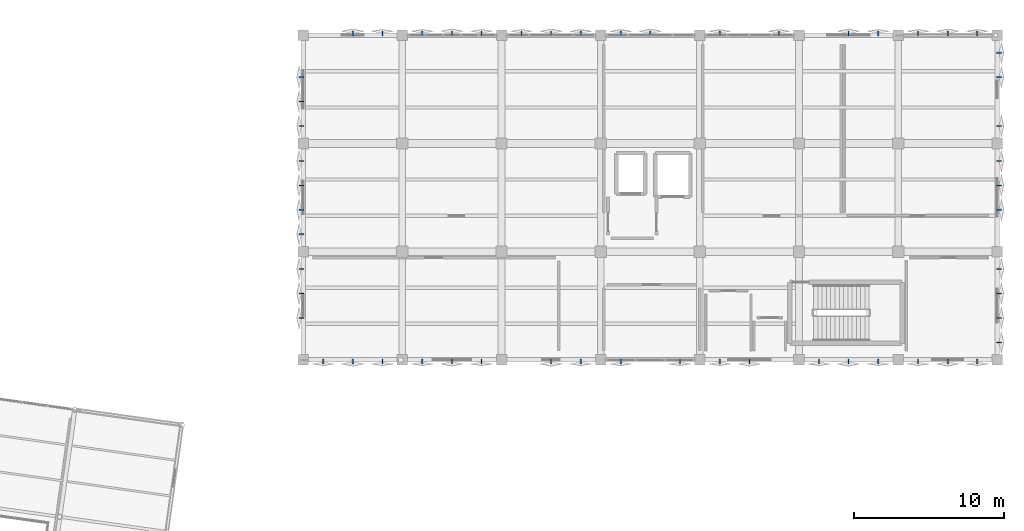
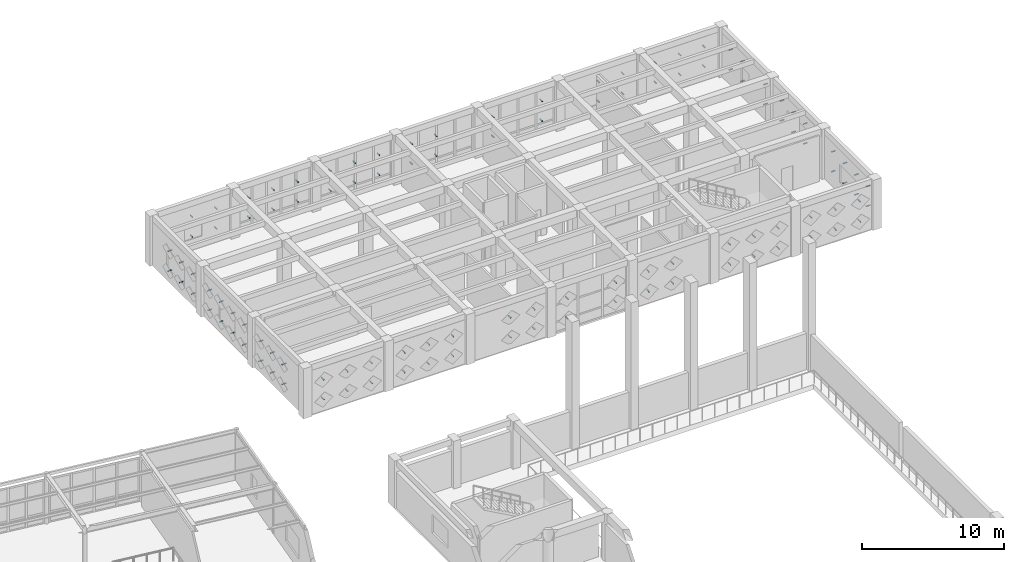
# One storey, part 74 of 80: 110 discrete accessories.
"""IFC4 building model written with IfcOpenShell, lengths in metres."""

from ifc_helpers import new_model, si_unit, direction, frame, origin, origin_2d, place, context, subcontext, project, spatial, hollow_rectangle, extrude, material, type_object, element, save


model = new_model("IFC4")

# Units and contexts
model_context = context("Model", 3, precision=1e-05, world=origin(), true_north=direction((0.0, 1.0)))
body_context = subcontext(model_context, "Body", "Model", "MODEL_VIEW")
ifc_project = project(units=[si_unit("LENGTHUNIT", "METRE"), si_unit("AREAUNIT", "SQUARE_METRE"), si_unit("VOLUMEUNIT", "CUBIC_METRE"), si_unit("PLANEANGLEUNIT", "RADIAN"), si_unit("MASSUNIT", "GRAM", prefix="KILO")], contexts=[model_context])

# Site, building, storey
site_placement = place(None, origin())
site = spatial("IfcSite", under=ifc_project, at=site_placement, CompositionType="ELEMENT")
building_placement = place(site_placement, origin())
building = spatial("IfcBuilding", under=site, at=building_placement, Name="Kharisveld Research Institute", CompositionType="ELEMENT")
storey_placement = place(building_placement, frame((0.0, 0.0, 5.10009765625)))
storey = spatial("IfcBuildingStorey", under=building, at=storey_placement, Name="L01", CompositionType="ELEMENT", Elevation=5.10009765625)

# Discrete accessories
ifc_material = material(Name="Steel S355JR", Category="steel")
discrete_accessory_type = type_object("IfcDiscreteAccessoryType", Name="BKT_ST_260", PredefinedType="BRACKET")
for number, where, z_axis, x_axis, name in (
    (1, (114.659912109375, 41.986328125, 1.0498046875), (-1.0, 0.0, 0.0), (0.0, -1.0, 0.0), "BKT-SHD:V2:L01:W0:S1C0"),
    (2, (114.659912109375, 41.986328125, 2.75), (-1.0, 0.0, 0.0), (0.0, -1.0, 0.0), "BKT-SHD:V2:L01:W0:S1C1"),
    (3, (114.659912109375, 43.61376953125, 1.0498046875), (-1.0, 0.0, 0.0), (0.0, -1.0, 0.0), "BKT-SHD:V2:L01:W0:S2C0"),
    (4, (114.659912109375, 43.61376953125, 2.75), (-1.0, 0.0, 0.0), (0.0, -1.0, 0.0), "BKT-SHD:V2:L01:W0:S2C1"),
    (5, (114.659912109375, 45.2412109375, 1.0498046875), (-1.0, 0.0, 0.0), (0.0, -1.0, 0.0), "BKT-SHD:V2:L01:W0:S3C0"),
    (6, (114.659912109375, 45.2412109375, 2.75), (-1.0, 0.0, 0.0), (0.0, -1.0, 0.0), "BKT-SHD:V2:L01:W0:S3C1"),
    (7, (114.659912109375, 47.558837890625, 1.0498046875), (-1.0, 0.0, 0.0), (0.0, -1.0, 0.0), "BKT-SHD:V2:L01:W1:S0C0"),
    (8, (114.659912109375, 47.558837890625, 2.75), (-1.0, 0.0, 0.0), (0.0, -1.0, 0.0), "BKT-SHD:V2:L01:W1:S0C1"),
    (9, (114.659912109375, 49.186279296875, 1.0498046875), (-1.0, 0.0, 0.0), (0.0, -1.0, 0.0), "BKT-SHD:V2:L01:W1:S1C0"),
    (10, (114.659912109375, 49.186279296875, 2.75), (-1.0, 0.0, 0.0), (0.0, -1.0, 0.0), "BKT-SHD:V2:L01:W1:S1C1"),
    (11, (114.659912109375, 50.813720703125, 1.0498046875), (-1.0, 0.0, 0.0), (0.0, -1.0, 0.0), "BKT-SHD:V2:L01:W1:S2C0"),
    (12, (114.659912109375, 50.813720703125, 2.75), (-1.0, 0.0, 0.0), (0.0, -1.0, 0.0), "BKT-SHD:V2:L01:W1:S2C1"),
    (13, (114.659912109375, 52.441162109375, 1.0498046875), (-1.0, 0.0, 0.0), (0.0, -1.0, 0.0), "BKT-SHD:V2:L01:W1:S3C0"),
    (14, (114.659912109375, 52.441162109375, 2.75), (-1.0, 0.0, 0.0), (0.0, -1.0, 0.0), "BKT-SHD:V2:L01:W1:S3C1"),
    (15, (114.659912109375, 54.7587890625, 1.0498046875), (-1.0, 0.0, 0.0), (0.0, -1.0, 0.0), "BKT-SHD:V2:L01:W2:S0C0"),
    (16, (114.659912109375, 54.7587890625, 2.75), (-1.0, 0.0, 0.0), (0.0, -1.0, 0.0), "BKT-SHD:V2:L01:W2:S0C1"),
    (17, (114.659912109375, 56.38623046875, 1.0498046875), (-1.0, 0.0, 0.0), (0.0, -1.0, 0.0), "BKT-SHD:V2:L01:W2:S1C0"),
    (18, (114.659912109375, 56.38623046875, 2.75), (-1.0, 0.0, 0.0), (0.0, -1.0, 0.0), "BKT-SHD:V2:L01:W2:S1C1"),
    (19, (114.659912109375, 58.013671875, 1.0498046875), (-1.0, 0.0, 0.0), (0.0, -1.0, 0.0), "BKT-SHD:V2:L01:W2:S2C0"),
    (20, (114.659912109375, 58.013671875, 2.75), (-1.0, 0.0, 0.0), (0.0, -1.0, 0.0), "BKT-SHD:V2:L01:W2:S2C1"),
):
    element("IfcDiscreteAccessory", number, at=place(storey_placement, frame(where, z_axis=z_axis, x_axis=x_axis)), inside=storey, type_object=discrete_accessory_type, material=ifc_material, Name=name, ObjectType="BRACKET", PredefinedType="BRACKET", context=body_context, shape_type="SweptSolid", body=[
        extrude(hollow_rectangle(XDim=0.080078125, YDim=0.080078125, WallThickness=0.0048828125, at=origin_2d()), origin(), (0.0, 0.0, 1.0), 0.349853515625),
    ])
for number, where, z_axis, x_axis, name in (
    (21, (117.89990234375, 60.739990234375, 1.0498046875), (0.0, 1.0, 0.0), (-1.0, 0.0, 0.0), "BKT-SHD:V2:L01:N0:S1C0"),
    (22, (117.89990234375, 60.739990234375, 2.75), (0.0, 1.0, 0.0), (-1.0, 0.0, 0.0), "BKT-SHD:V2:L01:N0:S1C1"),
    (23, (119.8701171875, 60.739990234375, 1.0498046875), (0.0, 1.0, 0.0), (-1.0, 0.0, 0.0), "BKT-SHD:V2:L01:N0:S2C0"),
    (24, (119.8701171875, 60.739990234375, 2.75), (0.0, 1.0, 0.0), (-1.0, 0.0, 0.0), "BKT-SHD:V2:L01:N0:S2C1"),
    (25, (122.530029296875, 60.739990234375, 1.0498046875), (0.0, 1.0, 0.0), (-1.0, 0.0, 0.0), "BKT-SHD:V2:L01:N1:S0C0"),
    (26, (122.530029296875, 60.739990234375, 2.75), (0.0, 1.0, 0.0), (-1.0, 0.0, 0.0), "BKT-SHD:V2:L01:N1:S0C1"),
    (27, (124.5, 60.739990234375, 1.0498046875), (0.0, 1.0, 0.0), (-1.0, 0.0, 0.0), "BKT-SHD:V2:L01:N1:S1C0"),
    (28, (124.5, 60.739990234375, 2.75), (0.0, 1.0, 0.0), (-1.0, 0.0, 0.0), "BKT-SHD:V2:L01:N1:S1C1"),
    (29, (126.469970703125, 60.739990234375, 1.0498046875), (0.0, 1.0, 0.0), (-1.0, 0.0, 0.0), "BKT-SHD:V2:L01:N1:S2C0"),
    (30, (126.469970703125, 60.739990234375, 2.75), (0.0, 1.0, 0.0), (-1.0, 0.0, 0.0), "BKT-SHD:V2:L01:N1:S2C1"),
    (31, (129.1298828125, 60.739990234375, 1.0498046875), (0.0, 1.0, 0.0), (-1.0, 0.0, 0.0), "BKT-SHD:V2:L01:N2:S0C0"),
    (32, (129.1298828125, 60.739990234375, 2.75), (0.0, 1.0, 0.0), (-1.0, 0.0, 0.0), "BKT-SHD:V2:L01:N2:S0C1"),
    (33, (131.10009765625, 60.739990234375, 1.0498046875), (0.0, 1.0, 0.0), (-1.0, 0.0, 0.0), "BKT-SHD:V2:L01:N2:S1C0"),
    (34, (131.10009765625, 60.739990234375, 2.75), (0.0, 1.0, 0.0), (-1.0, 0.0, 0.0), "BKT-SHD:V2:L01:N2:S1C1"),
    (35, (133.070068359375, 60.739990234375, 1.0498046875), (0.0, 1.0, 0.0), (-1.0, 0.0, 0.0), "BKT-SHD:V2:L01:N2:S2C0"),
    (36, (133.070068359375, 60.739990234375, 2.75), (0.0, 1.0, 0.0), (-1.0, 0.0, 0.0), "BKT-SHD:V2:L01:N2:S2C1"),
    (37, (135.72998046875, 60.739990234375, 1.0498046875), (0.0, 1.0, 0.0), (-1.0, 0.0, 0.0), "BKT-SHD:V2:L01:N3:S0C0"),
    (38, (135.72998046875, 60.739990234375, 2.75), (0.0, 1.0, 0.0), (-1.0, 0.0, 0.0), "BKT-SHD:V2:L01:N3:S0C1"),
    (39, (137.699951171875, 60.739990234375, 1.0498046875), (0.0, 1.0, 0.0), (-1.0, 0.0, 0.0), "BKT-SHD:V2:L01:N3:S1C0"),
    (40, (137.699951171875, 60.739990234375, 2.75), (0.0, 1.0, 0.0), (-1.0, 0.0, 0.0), "BKT-SHD:V2:L01:N3:S1C1"),
    (41, (142.330078125, 60.739990234375, 1.0498046875), (0.0, 1.0, 0.0), (-1.0, 0.0, 0.0), "BKT-SHD:V2:L01:N4:S0C0"),
    (42, (142.330078125, 60.739990234375, 2.75), (0.0, 1.0, 0.0), (-1.0, 0.0, 0.0), "BKT-SHD:V2:L01:N4:S0C1"),
    (43, (146.27001953125, 60.739990234375, 1.0498046875), (0.0, 1.0, 0.0), (-1.0, 0.0, 0.0), "BKT-SHD:V2:L01:N4:S2C0"),
    (44, (146.27001953125, 60.739990234375, 2.75), (0.0, 1.0, 0.0), (-1.0, 0.0, 0.0), "BKT-SHD:V2:L01:N4:S2C1"),
    (45, (150.89990234375, 60.739990234375, 1.0498046875), (0.0, 1.0, 0.0), (-1.0, 0.0, 0.0), "BKT-SHD:V2:L01:N5:S1C0"),
    (46, (150.89990234375, 60.739990234375, 2.75), (0.0, 1.0, 0.0), (-1.0, 0.0, 0.0), "BKT-SHD:V2:L01:N5:S1C1"),
    (47, (152.8701171875, 60.739990234375, 1.0498046875), (0.0, 1.0, 0.0), (-1.0, 0.0, 0.0), "BKT-SHD:V2:L01:N5:S2C0"),
    (48, (152.8701171875, 60.739990234375, 2.75), (0.0, 1.0, 0.0), (-1.0, 0.0, 0.0), "BKT-SHD:V2:L01:N5:S2C1"),
    (49, (155.530029296875, 60.739990234375, 1.0498046875), (0.0, 1.0, 0.0), (-1.0, 0.0, 0.0), "BKT-SHD:V2:L01:N6:S0C0"),
    (50, (155.530029296875, 60.739990234375, 2.75), (0.0, 1.0, 0.0), (-1.0, 0.0, 0.0), "BKT-SHD:V2:L01:N6:S0C1"),
    (51, (157.5, 60.739990234375, 1.0498046875), (0.0, 1.0, 0.0), (-1.0, 0.0, 0.0), "BKT-SHD:V2:L01:N6:S1C0"),
    (52, (157.5, 60.739990234375, 2.75), (0.0, 1.0, 0.0), (-1.0, 0.0, 0.0), "BKT-SHD:V2:L01:N6:S1C1"),
    (53, (159.469970703125, 60.739990234375, 1.0498046875), (0.0, 1.0, 0.0), (-1.0, 0.0, 0.0), "BKT-SHD:V2:L01:N6:S2C0"),
    (54, (159.469970703125, 60.739990234375, 2.75), (0.0, 1.0, 0.0), (-1.0, 0.0, 0.0), "BKT-SHD:V2:L01:N6:S2C1"),
    (55, (160.739990234375, 59.641357421875, 1.0498046875), (1.0, 0.0, 0.0), (0.0, 1.0, 0.0), "BKT-SHD:V2:L01:E3:S0C0"),
    (56, (160.739990234375, 59.641357421875, 2.75), (1.0, 0.0, 0.0), (0.0, 1.0, 0.0), "BKT-SHD:V2:L01:E3:S0C1"),
    (57, (160.739990234375, 58.013671875, 1.0498046875), (1.0, 0.0, 0.0), (0.0, 1.0, 0.0), "BKT-SHD:V2:L01:E3:S1C0"),
    (58, (160.739990234375, 58.013671875, 2.75), (1.0, 0.0, 0.0), (0.0, 1.0, 0.0), "BKT-SHD:V2:L01:E3:S1C1"),
    (59, (160.739990234375, 54.7587890625, 1.0498046875), (1.0, 0.0, 0.0), (0.0, 1.0, 0.0), "BKT-SHD:V2:L01:E3:S3C0"),
    (60, (160.739990234375, 54.7587890625, 2.75), (1.0, 0.0, 0.0), (0.0, 1.0, 0.0), "BKT-SHD:V2:L01:E3:S3C1"),
    (61, (160.739990234375, 52.441162109375, 1.0498046875), (1.0, 0.0, 0.0), (0.0, 1.0, 0.0), "BKT-SHD:V2:L01:E2:S0C0"),
    (62, (160.739990234375, 52.441162109375, 2.75), (1.0, 0.0, 0.0), (0.0, 1.0, 0.0), "BKT-SHD:V2:L01:E2:S0C1"),
    (63, (160.739990234375, 50.813720703125, 1.0498046875), (1.0, 0.0, 0.0), (0.0, 1.0, 0.0), "BKT-SHD:V2:L01:E2:S1C0"),
    (64, (160.739990234375, 50.813720703125, 2.75), (1.0, 0.0, 0.0), (0.0, 1.0, 0.0), "BKT-SHD:V2:L01:E2:S1C1"),
    (65, (160.739990234375, 49.186279296875, 1.0498046875), (1.0, 0.0, 0.0), (0.0, 1.0, 0.0), "BKT-SHD:V2:L01:E2:S2C0"),
    (66, (160.739990234375, 49.186279296875, 2.75), (1.0, 0.0, 0.0), (0.0, 1.0, 0.0), "BKT-SHD:V2:L01:E2:S2C1"),
    (67, (160.739990234375, 45.2412109375, 1.0498046875), (1.0, 0.0, 0.0), (0.0, 1.0, 0.0), "BKT-SHD:V2:L01:E1:S0C0"),
    (68, (160.739990234375, 45.2412109375, 2.75), (1.0, 0.0, 0.0), (0.0, 1.0, 0.0), "BKT-SHD:V2:L01:E1:S0C1"),
    (69, (160.739990234375, 43.61376953125, 1.0498046875), (1.0, 0.0, 0.0), (0.0, 1.0, 0.0), "BKT-SHD:V2:L01:E1:S1C0"),
    (70, (160.739990234375, 43.61376953125, 2.75), (1.0, 0.0, 0.0), (0.0, 1.0, 0.0), "BKT-SHD:V2:L01:E1:S1C1"),
    (71, (160.739990234375, 41.986328125, 1.0498046875), (1.0, 0.0, 0.0), (0.0, 1.0, 0.0), "BKT-SHD:V2:L01:E1:S2C0"),
    (72, (160.739990234375, 41.986328125, 2.75), (1.0, 0.0, 0.0), (0.0, 1.0, 0.0), "BKT-SHD:V2:L01:E1:S2C1"),
    (73, (160.739990234375, 40.358642578125, 1.0498046875), (1.0, 0.0, 0.0), (0.0, 1.0, 0.0), "BKT-SHD:V2:L01:E1:S3C0"),
    (74, (160.739990234375, 40.358642578125, 2.75), (1.0, 0.0, 0.0), (0.0, 1.0, 0.0), "BKT-SHD:V2:L01:E1:S3C1"),
    (75, (159.469970703125, 39.260009765625, 1.0498046875), (0.0, -1.0, 0.0), (1.0, 0.0, 0.0), "BKT-SHD:V2:L01:S7:S0C0"),
    (76, (159.469970703125, 39.260009765625, 2.75), (0.0, -1.0, 0.0), (1.0, 0.0, 0.0), "BKT-SHD:V2:L01:S7:S0C1"),
    (77, (157.5, 39.260009765625, 1.0498046875), (0.0, -1.0, 0.0), (1.0, 0.0, 0.0), "BKT-SHD:V2:L01:S7:S1C0"),
    (78, (157.5, 39.260009765625, 2.75), (0.0, -1.0, 0.0), (1.0, 0.0, 0.0), "BKT-SHD:V2:L01:S7:S1C1"),
    (79, (155.530029296875, 39.260009765625, 1.0498046875), (0.0, -1.0, 0.0), (1.0, 0.0, 0.0), "BKT-SHD:V2:L01:S7:S2C0"),
    (80, (155.530029296875, 39.260009765625, 2.75), (0.0, -1.0, 0.0), (1.0, 0.0, 0.0), "BKT-SHD:V2:L01:S7:S2C1"),
    (81, (152.8701171875, 39.260009765625, 1.0498046875), (0.0, -1.0, 0.0), (1.0, 0.0, 0.0), "BKT-SHD:V2:L01:S6:S0C0"),
    (82, (152.8701171875, 39.260009765625, 2.75), (0.0, -1.0, 0.0), (1.0, 0.0, 0.0), "BKT-SHD:V2:L01:S6:S0C1"),
    (83, (150.89990234375, 39.260009765625, 1.0498046875), (0.0, -1.0, 0.0), (1.0, 0.0, 0.0), "BKT-SHD:V2:L01:S6:S1C0"),
    (84, (150.89990234375, 39.260009765625, 2.75), (0.0, -1.0, 0.0), (1.0, 0.0, 0.0), "BKT-SHD:V2:L01:S6:S1C1"),
    (85, (148.929931640625, 39.260009765625, 1.0498046875), (0.0, -1.0, 0.0), (1.0, 0.0, 0.0), "BKT-SHD:V2:L01:S6:S2C0"),
    (86, (148.929931640625, 39.260009765625, 2.75), (0.0, -1.0, 0.0), (1.0, 0.0, 0.0), "BKT-SHD:V2:L01:S6:S2C1"),
    (87, (144.300048828125, 39.260009765625, 1.0498046875), (0.0, -1.0, 0.0), (1.0, 0.0, 0.0), "BKT-SHD:V2:L01:S5:S1C0"),
    (88, (144.300048828125, 39.260009765625, 2.75), (0.0, -1.0, 0.0), (1.0, 0.0, 0.0), "BKT-SHD:V2:L01:S5:S1C1"),
    (89, (142.330078125, 39.260009765625, 1.0498046875), (0.0, -1.0, 0.0), (1.0, 0.0, 0.0), "BKT-SHD:V2:L01:S5:S2C0"),
    (90, (142.330078125, 39.260009765625, 2.75), (0.0, -1.0, 0.0), (1.0, 0.0, 0.0), "BKT-SHD:V2:L01:S5:S2C1"),
    (91, (139.669921875, 39.260009765625, 1.0498046875), (0.0, -1.0, 0.0), (1.0, 0.0, 0.0), "BKT-SHD:V2:L01:S4:S0C0"),
    (92, (139.669921875, 39.260009765625, 2.75), (0.0, -1.0, 0.0), (1.0, 0.0, 0.0), "BKT-SHD:V2:L01:S4:S0C1"),
    (93, (135.72998046875, 39.260009765625, 1.0498046875), (0.0, -1.0, 0.0), (1.0, 0.0, 0.0), "BKT-SHD:V2:L01:S4:S2C0"),
    (94, (135.72998046875, 39.260009765625, 2.75), (0.0, -1.0, 0.0), (1.0, 0.0, 0.0), "BKT-SHD:V2:L01:S4:S2C1"),
    (95, (133.070068359375, 39.260009765625, 1.0498046875), (0.0, -1.0, 0.0), (1.0, 0.0, 0.0), "BKT-SHD:V2:L01:S3:S0C0"),
    (96, (133.070068359375, 39.260009765625, 2.75), (0.0, -1.0, 0.0), (1.0, 0.0, 0.0), "BKT-SHD:V2:L01:S3:S0C1"),
    (97, (131.10009765625, 39.260009765625, 1.0498046875), (0.0, -1.0, 0.0), (1.0, 0.0, 0.0), "BKT-SHD:V2:L01:S3:S1C0"),
    (98, (131.10009765625, 39.260009765625, 2.75), (0.0, -1.0, 0.0), (1.0, 0.0, 0.0), "BKT-SHD:V2:L01:S3:S1C1"),
    (99, (126.469970703125, 39.260009765625, 1.0498046875), (0.0, -1.0, 0.0), (1.0, 0.0, 0.0), "BKT-SHD:V2:L01:S2:S0C0"),
    (100, (126.469970703125, 39.260009765625, 2.75), (0.0, -1.0, 0.0), (1.0, 0.0, 0.0), "BKT-SHD:V2:L01:S2:S0C1"),
    (101, (124.5, 39.260009765625, 1.0498046875), (0.0, -1.0, 0.0), (1.0, 0.0, 0.0), "BKT-SHD:V2:L01:S2:S1C0"),
    (102, (124.5, 39.260009765625, 2.75), (0.0, -1.0, 0.0), (1.0, 0.0, 0.0), "BKT-SHD:V2:L01:S2:S1C1"),
    (103, (122.530029296875, 39.260009765625, 1.0498046875), (0.0, -1.0, 0.0), (1.0, 0.0, 0.0), "BKT-SHD:V2:L01:S2:S2C0"),
    (104, (122.530029296875, 39.260009765625, 2.75), (0.0, -1.0, 0.0), (1.0, 0.0, 0.0), "BKT-SHD:V2:L01:S2:S2C1"),
    (105, (119.8701171875, 39.260009765625, 1.0498046875), (0.0, -1.0, 0.0), (1.0, 0.0, 0.0), "BKT-SHD:V2:L01:S1:S0C0"),
    (106, (119.8701171875, 39.260009765625, 2.75), (0.0, -1.0, 0.0), (1.0, 0.0, 0.0), "BKT-SHD:V2:L01:S1:S0C1"),
    (107, (117.89990234375, 39.260009765625, 1.0498046875), (0.0, -1.0, 0.0), (1.0, 0.0, 0.0), "BKT-SHD:V2:L01:S1:S1C0"),
    (108, (117.89990234375, 39.260009765625, 2.75), (0.0, -1.0, 0.0), (1.0, 0.0, 0.0), "BKT-SHD:V2:L01:S1:S1C1"),
    (109, (115.929931640625, 39.260009765625, 1.0498046875), (0.0, -1.0, 0.0), (1.0, 0.0, 0.0), "BKT-SHD:V2:L01:S1:S2C0"),
    (110, (115.929931640625, 39.260009765625, 2.75), (0.0, -1.0, 0.0), (1.0, 0.0, 0.0), "BKT-SHD:V2:L01:S1:S2C1"),
):
    element("IfcDiscreteAccessory", number, at=place(storey_placement, frame(where, z_axis=z_axis, x_axis=x_axis)), inside=storey, type_object=discrete_accessory_type, material=ifc_material, Name=name, ObjectType="BRACKET", PredefinedType="BRACKET", context=body_context, shape_type="SweptSolid", body=[
        extrude(hollow_rectangle(XDim=0.080078125, YDim=0.080078125, WallThickness=0.0048828125, at=origin_2d()), origin(), (0.0, 0.0, 1.0), 0.35009765625),
    ])

save(model, "model.ifc")
